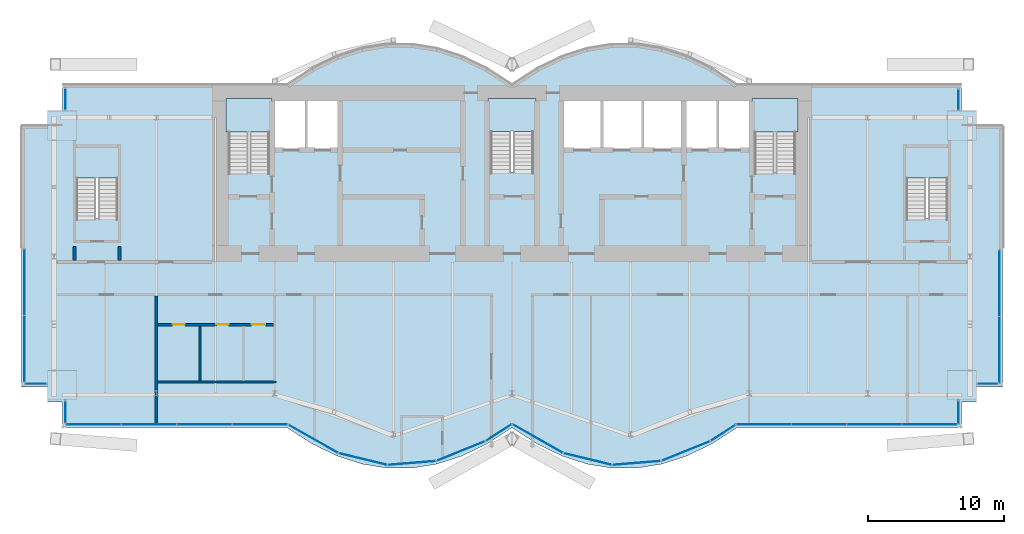
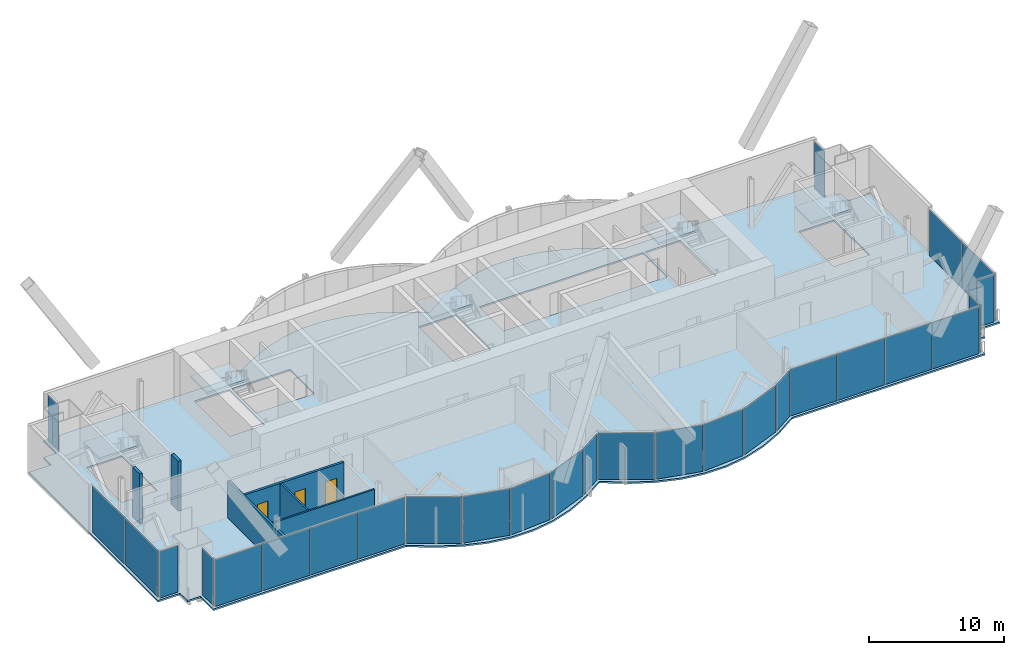
# One storey, part 10 of 17: 28 plates, 6 slabs, 6 walls, 3 doors, 3 openings, 17 elements without a shape of their own.
"""IFC4 building model written with IfcOpenShell, lengths in metres."""

from ifc_helpers import new_model, si_unit, direction, frame, frame_2d, origin, origin_2d, place, context, subcontext, project, spatial, polyline, rectangle, outline, extrude, material, layer, layer_set, type_object, element, fill, aggregate, save


model = new_model("IFC4")

# Units and contexts
model_context = context("Model", 3, precision=1e-05, world=origin(), true_north=direction((0.0, 1.0)))
body_context = subcontext(model_context, "Body", "Model", "MODEL_VIEW")
ifc_project = project(units=[si_unit("LENGTHUNIT", "METRE"), si_unit("AREAUNIT", "SQUARE_METRE"), si_unit("VOLUMEUNIT", "CUBIC_METRE"), si_unit("PLANEANGLEUNIT", "RADIAN"), si_unit("MASSUNIT", "GRAM", prefix="KILO")], contexts=[model_context])

# Site, building, storey
site_placement = place(None, origin())
site = spatial("IfcSite", under=ifc_project, at=site_placement, CompositionType="ELEMENT")
building_placement = place(site_placement, origin())
building = spatial("IfcBuilding", under=site, at=building_placement, Name="Bicima Exchange Tower", CompositionType="ELEMENT")
storey_placement = place(building_placement, frame((0.0, 0.0, 333.5)))
storey = spatial("IfcBuildingStorey", under=building, at=storey_placement, Name="L75", CompositionType="ELEMENT", Elevation=333.5)

# Slab
ifc_material_1 = material(Name="Concrete C40/50", Category="concrete")
ifc_layer_1 = layer(ifc_material_1, 0.14990234375)
ifc_layer_set_1 = layer_set([ifc_layer_1], Name="Concrete C40/50")
slab_type_1 = type_object("IfcSlabType", Name="Composite floor slab 150", PredefinedType="FLOOR", material=ifc_layer_set_1)
slab_1_placement = place(storey_placement, frame((0.0, 0.0, -0.14990234375)))
element("IfcSlab", 1, at=slab_1_placement, inside=storey, type_object=slab_type_1, Name="Floor slab", PredefinedType="FLOOR", context=body_context, shape_type="SweptSolid", body=[
    extrude(outline(polyline([(-36.0, -22.1640625), (-36.0, -3.0), (-34.10009765625, -3.0), (-34.10009765625, -1.89990234375), (-33.0, -1.89990234375), (-33.0, 0.0), (-16.5, 0.0), (-14.666748046875, 1.185302734375), (-12.833251953125, 2.07421875), (-11.0, 2.666748046875), (-9.166748046875, 2.962890625), (-7.333251953125, 2.962890625), (-5.5, 2.666748046875), (-3.666748046875, 2.07421875), (-1.833251953125, 1.185302734375), (0.0, 0.0), (1.833251953125, 1.185302734375), (3.666748046875, 2.07421875), (5.5, 2.666748046875), (7.333251953125, 2.962890625), (9.166748046875, 2.962890625), (11.0, 2.666748046875), (12.833251953125, 2.07421875), (14.666748046875, 1.185302734375), (16.5, 0.0), (33.0, 0.0), (33.0, -1.89990234375), (34.10009765625, -1.89990234375), (34.10009765625, -3.0), (36.0, -3.0), (36.0, -22.1640625), (34.10009765625, -22.1640625), (34.10009765625, -23.263916015625), (33.0, -23.263916015625), (33.0, -25.1640625), (16.5, -25.1640625), (14.666748046875, -26.34912109375), (12.833251953125, -27.238037109375), (11.0, -27.830810546875), (9.166748046875, -28.126953125), (7.333251953125, -28.126953125), (5.5, -27.830810546875), (3.666748046875, -27.238037109375), (1.833251953125, -26.34912109375), (0.0, -25.1640625), (-1.833251953125, -26.34912109375), (-3.666748046875, -27.238037109375), (-5.5, -27.830810546875), (-7.333251953125, -28.126953125), (-9.166748046875, -28.126953125), (-11.0, -27.830810546875), (-12.833251953125, -27.238037109375), (-14.666748046875, -26.34912109375), (-16.5, -25.1640625), (-33.0, -25.1640625), (-33.0, -23.263916015625), (-34.10009765625, -23.263916015625), (-34.10009765625, -22.1640625), (-36.0, -22.1640625)]), holes=[polyline([(-28.925048828125, -9.824951171875), (-28.925048828125, -4.625), (-31.97509765625, -4.625), (-31.97509765625, -9.824951171875), (-28.925048828125, -9.824951171875)]), polyline([(-20.800048828125, -6.449951171875), (-17.800048828125, -6.449951171875), (-17.800048828125, -1.199951171875), (-20.800048828125, -1.199951171875), (-20.800048828125, -6.449951171875)]), polyline([(-1.574951171875, -6.39990234375), (1.574951171875, -6.39990234375), (1.574951171875, -1.199951171875), (-1.574951171875, -1.199951171875), (-1.574951171875, -6.39990234375)]), polyline([(-12.60009765625, -1.199951171875), (-15.10009765625, -1.199951171875), (-17.60009765625, -1.199951171875), (-17.60009765625, -4.800048828125), (-15.10009765625, -4.800048828125), (-12.60009765625, -4.800048828125), (-12.60009765625, -1.199951171875)]), polyline([(3.60009765625, -4.800048828125), (6.60009765625, -4.800048828125), (9.60009765625, -4.800048828125), (12.60009765625, -4.800048828125), (15.10009765625, -4.800048828125), (17.60009765625, -4.800048828125), (17.60009765625, -1.199951171875), (15.10009765625, -1.199951171875), (12.60009765625, -1.199951171875), (9.60009765625, -1.199951171875), (6.60009765625, -1.199951171875), (3.60009765625, -1.199951171875), (3.60009765625, -4.800048828125)]), polyline([(31.97509765625, -9.824951171875), (31.97509765625, -4.625), (28.925048828125, -4.625), (28.925048828125, -9.824951171875), (31.97509765625, -9.824951171875)]), polyline([(17.800048828125, -6.449951171875), (20.800048828125, -6.449951171875), (20.800048828125, -1.199951171875), (17.800048828125, -1.199951171875), (17.800048828125, -6.449951171875)])]), origin(), (0.0, 0.0, 1.0), 0.14990234375),
])

# Curtain wall, plate
ifc_material_2 = material(Name="Anodised bronze aluminium", Category="aluminium")
curtain_wall_type_1 = type_object("IfcCurtainWallType", Name="End face glass wall", PredefinedType="NOTDEFINED", material=ifc_material_2)
curtain_wall_1_placement = place(storey_placement, origin())
curtain_wall_1 = element("IfcCurtainWall", 2, at=curtain_wall_1_placement, inside=storey, type_object=curtain_wall_type_1, Name="End face glass wall L75 run 2", PredefinedType="NOTDEFINED")
ifc_material_3 = material(Name="Bronze tinted glass", Category="glass")
ifc_layer_2 = layer(ifc_material_3, 0.031982421875)
ifc_layer_set_2 = layer_set([ifc_layer_2], Name="Bronze tinted glass")
plate_type_1 = type_object("IfcPlateType", Name="End face glass wall glass panel 32", PredefinedType="CURTAIN_PANEL", material=ifc_layer_set_2)
plate_1_placement = place(storey_placement, frame((-35.77001953125, -14.478515625, 0.0), z_axis=(0.0, 0.0, 1.0), x_axis=(0.0, -1.0, 0.0)))
plate_1 = element("IfcPlate", 3, at=plate_1_placement, type_object=plate_type_1, Name="End face glass wall panel 1.1", PredefinedType="CURTAIN_PANEL", context=body_context, shape_type="SweptSolid", body=[
    extrude(rectangle(XDim=4.8369140625, YDim=0.031982421875, at=origin_2d()), origin(), (0.0, 0.0, 1.0), 4.2099609375),
])

curtain_wall_2_placement = place(storey_placement, origin())
curtain_wall_2 = element("IfcCurtainWall", 4, at=curtain_wall_2_placement, inside=storey, type_object=curtain_wall_type_1, Name="End face glass wall L75 run 19", PredefinedType="NOTDEFINED")
plate_2_placement = place(storey_placement, frame((35.77001953125, -14.55859375, 0.0), z_axis=(0.0, 0.0, 1.0), x_axis=(0.0, 1.0, 0.0)))
plate_2 = element("IfcPlate", 5, at=plate_2_placement, type_object=plate_type_1, Name="End face glass wall panel 2.1", PredefinedType="CURTAIN_PANEL", context=body_context, shape_type="SweptSolid", body=[
    extrude(rectangle(XDim=4.8369140625, YDim=0.031982421875, at=origin_2d()), origin(), (0.0, 0.0, 1.0), 4.2099609375),
])

# Plate
ifc_material_4 = material(Name="Bronze anodised aluminium", Category="aluminium")
ifc_layer_3 = layer(ifc_material_4, 0.031982421875)
ifc_layer_set_3 = layer_set([ifc_layer_3], Name="Bronze anodised aluminium")
plate_type_2 = type_object("IfcPlateType", Name="End face glass wall spandrel panel 32", PredefinedType="CURTAIN_PANEL", material=ifc_layer_set_3)
plate_3_placement = place(storey_placement, frame((-35.77001953125, -19.37548828125, 0.0), z_axis=(0.0, 0.0, 1.0), x_axis=(0.0, -1.0, 0.0)))
plate_3 = element("IfcPlate", 6, at=plate_3_placement, type_object=plate_type_2, Name="End face spandrel wall panel 2.1", PredefinedType="CURTAIN_PANEL", context=body_context, shape_type="SweptSolid", body=[
    extrude(rectangle(XDim=4.8369140625, YDim=0.031982421875, at=origin_2d()), origin(), (0.0, 0.0, 1.0), 4.2099609375),
])

aggregate(curtain_wall_1, [plate_1, plate_3])

plate_4_placement = place(storey_placement, frame((35.77001953125, -19.45556640625, 0.0), z_axis=(0.0, 0.0, 1.0), x_axis=(0.0, 1.0, 0.0)))
plate_4 = element("IfcPlate", 7, at=plate_4_placement, type_object=plate_type_2, Name="End face spandrel wall panel 1.1", PredefinedType="CURTAIN_PANEL", context=body_context, shape_type="SweptSolid", body=[
    extrude(rectangle(XDim=4.8369140625, YDim=0.031982421875, at=origin_2d()), origin(), (0.0, 0.0, 1.0), 4.2099609375),
])

aggregate(curtain_wall_2, [plate_4, plate_2])

# Curtain wall, plate
curtain_wall_type_2 = type_object("IfcCurtainWallType", Name="Front glass wall", PredefinedType="NOTDEFINED", material=ifc_material_2)
curtain_wall_3_placement = place(storey_placement, origin())
curtain_wall_3 = element("IfcCurtainWall", 8, at=curtain_wall_3_placement, inside=storey, type_object=curtain_wall_type_2, Name="Front glass wall L75 run 1", PredefinedType="NOTDEFINED")
ifc_layer_4 = layer(ifc_material_3, 0.031982421875)
ifc_layer_set_4 = layer_set([ifc_layer_4], Name="Bronze tinted glass")
plate_type_3 = type_object("IfcPlateType", Name="Front glass wall glass panel 32", PredefinedType="CURTAIN_PANEL", material=ifc_layer_set_4)
plate_5_placement = place(storey_placement, frame((-32.77001953125, -1.06494140625, 0.0), z_axis=(0.0, 0.0, 1.0), x_axis=(0.0, -1.0, 0.0)))
plate_5 = element("IfcPlate", 9, at=plate_5_placement, type_object=plate_type_3, Name="Front glass wall panel 1.1", PredefinedType="CURTAIN_PANEL", context=body_context, shape_type="SweptSolid", body=[
    extrude(rectangle(XDim=1.550048828125, YDim=0.031982421875, at=origin_2d()), origin(), (0.0, 0.0, 1.0), 4.2099609375),
])
aggregate(curtain_wall_3, [plate_5])

curtain_wall_4_placement = place(storey_placement, origin())
curtain_wall_4 = element("IfcCurtainWall", 10, at=curtain_wall_4_placement, inside=storey, type_object=curtain_wall_type_2, Name="Front glass wall L75 run 3", PredefinedType="NOTDEFINED")
plate_6_placement = place(storey_placement, frame((-34.93505859375, -21.93408203125, 0.0), z_axis=(0.0, 0.0, 1.0), x_axis=(1.0, 0.0, 0.0)))
plate_6 = element("IfcPlate", 11, at=plate_6_placement, type_object=plate_type_3, Name="Front glass wall panel 1.1", PredefinedType="CURTAIN_PANEL", context=body_context, shape_type="SweptSolid", body=[
    extrude(rectangle(XDim=1.550048828125, YDim=0.031982421875, at=origin_2d()), origin(), (0.0, 0.0, 1.0), 4.2099609375),
])
aggregate(curtain_wall_4, [plate_6])

curtain_wall_5_placement = place(storey_placement, origin())
curtain_wall_5 = element("IfcCurtainWall", 12, at=curtain_wall_5_placement, inside=storey, type_object=curtain_wall_type_2, Name="Front glass wall L75 run 4", PredefinedType="NOTDEFINED")
plate_7_placement = place(storey_placement, frame((-32.77001953125, -23.998046875, 0.0), z_axis=(0.0, 0.0, 1.0), x_axis=(0.0, -1.0, 0.0)))
plate_7 = element("IfcPlate", 13, at=plate_7_placement, type_object=plate_type_3, Name="Front glass wall panel 1.1", PredefinedType="CURTAIN_PANEL", context=body_context, shape_type="SweptSolid", body=[
    extrude(rectangle(XDim=1.592041015625, YDim=0.031982421875, at=origin_2d()), origin(), (0.0, 0.0, 1.0), 4.2099609375),
])
aggregate(curtain_wall_5, [plate_7])

# Curtain wall, plates
curtain_wall_6_placement = place(storey_placement, origin())
curtain_wall_6 = element("IfcCurtainWall", 14, at=curtain_wall_6_placement, inside=storey, type_object=curtain_wall_type_2, Name="Front glass wall L75 run 5", PredefinedType="NOTDEFINED")
plate_8_placement = place(storey_placement, frame((-30.705322265625, -24.93408203125, 0.0), z_axis=(0.0, 0.0, 1.0), x_axis=(1.0, 0.0, 0.0)))
plate_8 = element("IfcPlate", 15, at=plate_8_placement, type_object=plate_type_3, Name="Front glass wall panel 1.1", PredefinedType="CURTAIN_PANEL", context=body_context, shape_type="SweptSolid", body=[
    extrude(rectangle(XDim=4.009521484375, YDim=0.031982421875, at=origin_2d()), origin(), (0.0, 0.0, 1.0), 4.2099609375),
])
plate_9_placement = place(storey_placement, frame((-22.56640625, -24.93408203125, 0.0), z_axis=(0.0, 0.0, 1.0), x_axis=(1.0, 0.0, 0.0)))
plate_9 = element("IfcPlate", 16, at=plate_9_placement, type_object=plate_type_3, Name="Front glass wall panel 3.1", PredefinedType="CURTAIN_PANEL", context=body_context, shape_type="SweptSolid", body=[
    extrude(rectangle(XDim=4.009521484375, YDim=0.031982421875, at=origin_2d()), origin(), (0.0, 0.0, 1.0), 4.2099609375),
])
plate_10_placement = place(storey_placement, frame((-18.496826171875, -24.93408203125, 0.0), z_axis=(0.0, 0.0, 1.0), x_axis=(1.0, 0.0, 0.0)))
plate_10 = element("IfcPlate", 17, at=plate_10_placement, type_object=plate_type_3, Name="Front glass wall panel 4.1", PredefinedType="CURTAIN_PANEL", context=body_context, shape_type="SweptSolid", body=[
    extrude(rectangle(XDim=4.009521484375, YDim=0.031982421875, at=origin_2d()), origin(), (0.0, 0.0, 1.0), 4.2099609375),
])

curtain_wall_7_placement = place(storey_placement, origin())
curtain_wall_7 = element("IfcCurtainWall", 18, at=curtain_wall_7_placement, inside=storey, type_object=curtain_wall_type_2, Name="Front glass wall L75 run 6", PredefinedType="NOTDEFINED")
plate_11_placement = place(storey_placement, frame((-14.589599609375, -25.97900390625, 0.0), z_axis=(0.0, 0.0, 1.0), x_axis=(0.869805110681, -0.493395449343, 0.0)))
plate_11 = element("IfcPlate", 19, at=plate_11_placement, type_object=plate_type_3, Name="Front glass wall panel 1.1", PredefinedType="CURTAIN_PANEL", context=body_context, shape_type="SweptSolid", body=[
    extrude(rectangle(XDim=4.1162109375, YDim=0.031982421875, at=origin_2d()), origin(), (0.0, 0.0, 1.0), 4.2099609375),
])
plate_12_placement = place(storey_placement, frame((-10.94775390625, -27.460693359375, 0.0), z_axis=(0.0, 0.0, 1.0), x_axis=(0.971830343553, -0.235681529503, 0.0)))
plate_12 = element("IfcPlate", 20, at=plate_12_placement, type_object=plate_type_3, Name="Front glass wall panel 1.1", PredefinedType="CURTAIN_PANEL", context=body_context, shape_type="SweptSolid", body=[
    extrude(rectangle(XDim=3.583251953125, YDim=0.031982421875, at=origin_2d()), origin(), (0.0, 0.0, 1.0), 4.2099609375),
])
plate_13_placement = place(storey_placement, frame((-3.750244140625, -26.87744140625, 0.0), z_axis=(0.0, 0.0, 1.0), x_axis=(0.92714396679, 0.374705304, 0.0)))
plate_13 = element("IfcPlate", 21, at=plate_13_placement, type_object=plate_type_3, Name="Front glass wall panel 1.1", PredefinedType="CURTAIN_PANEL", context=body_context, shape_type="SweptSolid", body=[
    extrude(rectangle(XDim=3.771240234375, YDim=0.031982421875, at=origin_2d()), origin(), (0.0, 0.0, 1.0), 4.2099609375),
])
plate_14_placement = place(storey_placement, frame((-0.97314453125, -25.519287109375, 0.0), z_axis=(0.0, 0.0, 1.0), x_axis=(0.839798994301, 0.542897457326, 0.0)))
plate_14 = element("IfcPlate", 22, at=plate_14_placement, type_object=plate_type_3, Name="Front glass wall panel 1.1", PredefinedType="CURTAIN_PANEL", context=body_context, shape_type="SweptSolid", body=[
    extrude(rectangle(XDim=2.197509765625, YDim=0.031982421875, at=origin_2d()), origin(), (0.0, 0.0, 1.0), 4.2099609375),
])

curtain_wall_8_placement = place(storey_placement, origin())
curtain_wall_8 = element("IfcCurtainWall", 23, at=curtain_wall_8_placement, inside=storey, type_object=curtain_wall_type_2, Name="Front glass wall L75 run 11", PredefinedType="NOTDEFINED")
plate_15_placement = place(storey_placement, frame((1.876220703125, -25.957275390625, 0.0), z_axis=(0.0, 0.0, 1.0), x_axis=(0.869274147378, -0.494330311331, 0.0)))
plate_15 = element("IfcPlate", 24, at=plate_15_placement, type_object=plate_type_3, Name="Front glass wall panel 1.1", PredefinedType="CURTAIN_PANEL", context=body_context, shape_type="SweptSolid", body=[
    extrude(rectangle(XDim=4.197021484375, YDim=0.031982421875, at=origin_2d()), origin(), (0.0, 0.0, 1.0), 4.2099609375),
])
plate_16_placement = place(storey_placement, frame((12.749755859375, -26.87744140625, 0.0), z_axis=(0.0, 0.0, 1.0), x_axis=(0.92714396679, 0.374705304, 0.0)))
plate_16 = element("IfcPlate", 25, at=plate_16_placement, type_object=plate_type_3, Name="Front glass wall panel 1.1", PredefinedType="CURTAIN_PANEL", context=body_context, shape_type="SweptSolid", body=[
    extrude(rectangle(XDim=3.771240234375, YDim=0.031982421875, at=origin_2d()), origin(), (0.0, 0.0, 1.0), 4.2099609375),
])
plate_17_placement = place(storey_placement, frame((15.492919921875, -25.541259765625, 0.0), z_axis=(0.0, 0.0, 1.0), x_axis=(0.839791413941, 0.542909183079, 0.0)))
plate_17 = element("IfcPlate", 26, at=plate_17_placement, type_object=plate_type_3, Name="Front glass wall panel 1.1", PredefinedType="CURTAIN_PANEL", context=body_context, shape_type="SweptSolid", body=[
    extrude(rectangle(XDim=2.11669921875, YDim=0.031982421875, at=origin_2d()), origin(), (0.0, 0.0, 1.0), 4.2099609375),
])

curtain_wall_9_placement = place(storey_placement, origin())
curtain_wall_9 = element("IfcCurtainWall", 27, at=curtain_wall_9_placement, inside=storey, type_object=curtain_wall_type_2, Name="Front glass wall L75 run 16", PredefinedType="NOTDEFINED")
plate_18_placement = place(storey_placement, frame((18.48681640625, -24.93408203125, 0.0), z_axis=(0.0, 0.0, 1.0), x_axis=(1.0, 0.0, 0.0)))
plate_18 = element("IfcPlate", 28, at=plate_18_placement, type_object=plate_type_3, Name="Front glass wall panel 1.1", PredefinedType="CURTAIN_PANEL", context=body_context, shape_type="SweptSolid", body=[
    extrude(rectangle(XDim=3.989501953125, YDim=0.031982421875, at=origin_2d()), origin(), (0.0, 0.0, 1.0), 4.2099609375),
])
plate_19_placement = place(storey_placement, frame((22.536376953125, -24.93408203125, 0.0), z_axis=(0.0, 0.0, 1.0), x_axis=(1.0, 0.0, 0.0)))
plate_19 = element("IfcPlate", 29, at=plate_19_placement, type_object=plate_type_3, Name="Front glass wall panel 2.1", PredefinedType="CURTAIN_PANEL", context=body_context, shape_type="SweptSolid", body=[
    extrude(rectangle(XDim=3.989501953125, YDim=0.031982421875, at=origin_2d()), origin(), (0.0, 0.0, 1.0), 4.2099609375),
])
plate_20_placement = place(storey_placement, frame((30.63525390625, -24.93408203125, 0.0), z_axis=(0.0, 0.0, 1.0), x_axis=(1.0, 0.0, 0.0)))
plate_20 = element("IfcPlate", 30, at=plate_20_placement, type_object=plate_type_3, Name="Front glass wall panel 4.1", PredefinedType="CURTAIN_PANEL", context=body_context, shape_type="SweptSolid", body=[
    extrude(rectangle(XDim=3.989501953125, YDim=0.031982421875, at=origin_2d()), origin(), (0.0, 0.0, 1.0), 4.2099609375),
])

# Curtain wall, plate
curtain_wall_10_placement = place(storey_placement, origin())
curtain_wall_10 = element("IfcCurtainWall", 31, at=curtain_wall_10_placement, inside=storey, type_object=curtain_wall_type_2, Name="Front glass wall L75 run 17", PredefinedType="NOTDEFINED")
plate_21_placement = place(storey_placement, frame((32.77001953125, -24.0380859375, 0.0), z_axis=(0.0, 0.0, 1.0), x_axis=(0.0, 1.0, 0.0)))
plate_21 = element("IfcPlate", 32, at=plate_21_placement, type_object=plate_type_3, Name="Front glass wall panel 1.1", PredefinedType="CURTAIN_PANEL", context=body_context, shape_type="SweptSolid", body=[
    extrude(rectangle(XDim=1.672119140625, YDim=0.031982421875, at=origin_2d()), origin(), (0.0, 0.0, 1.0), 4.2099609375),
])
aggregate(curtain_wall_10, [plate_21])

curtain_wall_11_placement = place(storey_placement, origin())
curtain_wall_11 = element("IfcCurtainWall", 33, at=curtain_wall_11_placement, inside=storey, type_object=curtain_wall_type_2, Name="Front glass wall L75 run 18", PredefinedType="NOTDEFINED")
plate_22_placement = place(storey_placement, frame((34.89501953125, -21.93408203125, 0.0), z_axis=(0.0, 0.0, 1.0), x_axis=(1.0, 0.0, 0.0)))
plate_22 = element("IfcPlate", 34, at=plate_22_placement, type_object=plate_type_3, Name="Front glass wall panel 1.1", PredefinedType="CURTAIN_PANEL", context=body_context, shape_type="SweptSolid", body=[
    extrude(rectangle(XDim=1.469970703125, YDim=0.031982421875, at=origin_2d()), origin(), (0.0, 0.0, 1.0), 4.2099609375),
])
aggregate(curtain_wall_11, [plate_22])

curtain_wall_12_placement = place(storey_placement, origin())
curtain_wall_12 = element("IfcCurtainWall", 35, at=curtain_wall_12_placement, inside=storey, type_object=curtain_wall_type_2, Name="Front glass wall L75 run 20", PredefinedType="NOTDEFINED")
plate_23_placement = place(storey_placement, frame((32.77001953125, -1.10498046875, 0.0), z_axis=(0.0, 0.0, 1.0), x_axis=(0.0, 1.0, 0.0)))
plate_23 = element("IfcPlate", 36, at=plate_23_placement, type_object=plate_type_3, Name="Front glass wall panel 1.1", PredefinedType="CURTAIN_PANEL", context=body_context, shape_type="SweptSolid", body=[
    extrude(rectangle(XDim=1.469970703125, YDim=0.031982421875, at=origin_2d()), origin(), (0.0, 0.0, 1.0), 4.2099609375),
])
aggregate(curtain_wall_12, [plate_23])

# Plate
ifc_layer_5 = layer(ifc_material_4, 0.031982421875)
ifc_layer_set_5 = layer_set([ifc_layer_5], Name="Bronze anodised aluminium")
plate_type_4 = type_object("IfcPlateType", Name="Front glass wall spandrel panel 32", PredefinedType="CURTAIN_PANEL", material=ifc_layer_set_5)
plate_24_placement = place(storey_placement, frame((-26.6357421875, -24.93408203125, 0.0), z_axis=(0.0, 0.0, 1.0), x_axis=(1.0, 0.0, 0.0)))
plate_24 = element("IfcPlate", 37, at=plate_24_placement, type_object=plate_type_4, Name="Front spandrel wall panel 2.1", PredefinedType="CURTAIN_PANEL", context=body_context, shape_type="SweptSolid", body=[
    extrude(rectangle(XDim=4.009521484375, YDim=0.031982421875, at=origin_2d()), origin(), (0.0, 0.0, 1.0), 4.2099609375),
])

aggregate(curtain_wall_6, [plate_8, plate_24, plate_9, plate_10])

plate_25_placement = place(storey_placement, frame((-7.35107421875, -27.751708984375, 0.0), z_axis=(0.0, 0.0, 1.0), x_axis=(0.99674744821, 0.080588612633, 0.0)))
plate_25 = element("IfcPlate", 38, at=plate_25_placement, type_object=plate_type_4, Name="Front spandrel wall panel 1.1", PredefinedType="CURTAIN_PANEL", context=body_context, shape_type="SweptSolid", body=[
    extrude(rectangle(XDim=3.486083984375, YDim=0.031982421875, at=origin_2d()), origin(), (0.0, 0.0, 1.0), 4.2099609375),
])

aggregate(curtain_wall_7, [plate_11, plate_12, plate_25, plate_13, plate_14])

plate_26_placement = place(storey_placement, frame((5.55224609375, -27.460693359375, 0.0), z_axis=(0.0, 0.0, 1.0), x_axis=(0.971830343553, -0.235681529503, 0.0)))
plate_26 = element("IfcPlate", 39, at=plate_26_placement, type_object=plate_type_4, Name="Front spandrel wall panel 1.1", PredefinedType="CURTAIN_PANEL", context=body_context, shape_type="SweptSolid", body=[
    extrude(rectangle(XDim=3.583251953125, YDim=0.031982421875, at=origin_2d()), origin(), (0.0, 0.0, 1.0), 4.2099609375),
])

plate_27_placement = place(storey_placement, frame((9.14892578125, -27.751708984375, 0.0), z_axis=(0.0, 0.0, 1.0), x_axis=(0.99674744821, 0.080588612633, 0.0)))
plate_27 = element("IfcPlate", 40, at=plate_27_placement, type_object=plate_type_4, Name="Front spandrel wall panel 1.1", PredefinedType="CURTAIN_PANEL", context=body_context, shape_type="SweptSolid", body=[
    extrude(rectangle(XDim=3.486083984375, YDim=0.031982421875, at=origin_2d()), origin(), (0.0, 0.0, 1.0), 4.2099609375),
])

aggregate(curtain_wall_8, [plate_15, plate_26, plate_27, plate_16, plate_17])

plate_28_placement = place(storey_placement, frame((26.585693359375, -24.93408203125, 0.0), z_axis=(0.0, 0.0, 1.0), x_axis=(1.0, 0.0, 0.0)))
plate_28 = element("IfcPlate", 41, at=plate_28_placement, type_object=plate_type_4, Name="Front spandrel wall panel 3.1", PredefinedType="CURTAIN_PANEL", context=body_context, shape_type="SweptSolid", body=[
    extrude(rectangle(XDim=3.989501953125, YDim=0.031982421875, at=origin_2d()), origin(), (0.0, 0.0, 1.0), 4.2099609375),
])

aggregate(curtain_wall_9, [plate_18, plate_19, plate_28, plate_20])

# Stair, slab
ifc_material_5 = material(Name="Concrete C50/60", Category="concrete")
stair_type_1 = type_object("IfcStairType", Name="Exit stair", PredefinedType="HALF_TURN_STAIR", material=ifc_material_5)
stair_1_placement = place(storey_placement, origin())
stair_1 = element("IfcStair", 42, at=stair_1_placement, inside=storey, type_object=stair_type_1, Name="L75 West exit stair", PredefinedType="HALF_TURN_STAIR")
ifc_layer_6 = layer(ifc_material_5, 0.199951171875)
ifc_layer_set_6 = layer_set([ifc_layer_6], Name="Concrete C50/60")
slab_type_2 = type_object("IfcSlabType", Name="Stair landing slab", PredefinedType="LANDING", material=ifc_layer_set_6)
slab_2_placement = place(storey_placement, frame((0.0, 0.0, 2.050048828125)))
slab_2 = element("IfcSlab", 43, at=slab_2_placement, type_object=slab_type_2, Name="ST-W landing 1", PredefinedType="LANDING", context=body_context, shape_type="SweptSolid", body=[
    extrude(outline(polyline([(-17.60009765625, -3.469970703125), (-17.60009765625, -1.0), (-21.0, -1.0), (-21.0, -3.469970703125), (-17.60009765625, -3.469970703125)])), origin(), (0.0, 0.0, 1.0), 0.199951171875),
])
aggregate(stair_1, [slab_2])

stair_type_2 = type_object("IfcStairType", Name="Exit stair 1500", PredefinedType="HALF_TURN_STAIR", material=ifc_material_5)
stair_2_placement = place(storey_placement, origin())
stair_2 = element("IfcStair", 44, at=stair_2_placement, inside=storey, type_object=stair_type_2, Name="L75 Central exit stair", PredefinedType="HALF_TURN_STAIR")
slab_3_placement = place(storey_placement, frame((0.0, 0.0, 2.050048828125)))
slab_3 = element("IfcSlab", 45, at=slab_3_placement, type_object=slab_type_2, Name="ST-C landing 1", PredefinedType="LANDING", context=body_context, shape_type="SweptSolid", body=[
    extrude(outline(polyline([(1.77490234375, -3.419921875), (1.77490234375, -1.0), (-1.77490234375, -1.0), (-1.77490234375, -3.419921875), (1.77490234375, -3.419921875)])), origin(), (0.0, 0.0, 1.0), 0.199951171875),
])
aggregate(stair_2, [slab_3])

stair_3_placement = place(storey_placement, origin())
stair_3 = element("IfcStair", 46, at=stair_3_placement, inside=storey, type_object=stair_type_1, Name="L75 East exit stair", PredefinedType="HALF_TURN_STAIR")
slab_4_placement = place(storey_placement, frame((0.0, 0.0, 2.050048828125)))
slab_4 = element("IfcSlab", 47, at=slab_4_placement, type_object=slab_type_2, Name="ST-E landing 1", PredefinedType="LANDING", context=body_context, shape_type="SweptSolid", body=[
    extrude(outline(polyline([(21.0, -3.469970703125), (21.0, -1.0), (17.60009765625, -1.0), (17.60009765625, -3.469970703125), (21.0, -3.469970703125)])), origin(), (0.0, 0.0, 1.0), 0.199951171875),
])
aggregate(stair_3, [slab_4])

stair_4_placement = place(storey_placement, origin())
stair_4 = element("IfcStair", 48, at=stair_4_placement, inside=storey, type_object=stair_type_1, Name="L75 West end exit stair", PredefinedType="HALF_TURN_STAIR")
slab_5_placement = place(storey_placement, frame((0.0, 0.0, 2.050048828125)))
slab_5 = element("IfcSlab", 49, at=slab_5_placement, type_object=slab_type_2, Name="ST-WW landing 1", PredefinedType="LANDING", context=body_context, shape_type="SweptSolid", body=[
    extrude(outline(polyline([(-28.72509765625, -6.844970703125), (-28.72509765625, -4.425048828125), (-32.175048828125, -4.425048828125), (-32.175048828125, -6.844970703125), (-28.72509765625, -6.844970703125)])), origin(), (0.0, 0.0, 1.0), 0.199951171875),
])
aggregate(stair_4, [slab_5])

stair_5_placement = place(storey_placement, origin())
stair_5 = element("IfcStair", 50, at=stair_5_placement, inside=storey, type_object=stair_type_1, Name="L75 East end exit stair", PredefinedType="HALF_TURN_STAIR")
slab_6_placement = place(storey_placement, frame((0.0, 0.0, 2.050048828125)))
slab_6 = element("IfcSlab", 51, at=slab_6_placement, type_object=slab_type_2, Name="ST-EE landing 1", PredefinedType="LANDING", context=body_context, shape_type="SweptSolid", body=[
    extrude(outline(polyline([(32.175048828125, -6.844970703125), (32.175048828125, -4.425048828125), (28.72509765625, -4.425048828125), (28.72509765625, -6.844970703125), (32.175048828125, -6.844970703125)])), origin(), (0.0, 0.0, 1.0), 0.199951171875),
])
aggregate(stair_5, [slab_6])

# Wall, openings, doors
ifc_material_6 = material(Name="Gypsum board partition")
ifc_layer_7 = layer(ifc_material_6, 0.199951171875)
ifc_layer_set_7 = layer_set([ifc_layer_7], Name="Gypsum board partition")
wall_type_1 = type_object("IfcWallType", Name="Fire-rated gypsum partition 200 EI60", PredefinedType="PARTITIONING", material=ifc_layer_set_7)
wall_1_placement = place(storey_placement, frame((-26.0, -17.60009765625, 0.0), z_axis=(0.0, 0.0, 1.0), x_axis=(1.0, 0.0, 0.0)))
wall_1 = element("IfcWall", 52, at=wall_1_placement, inside=storey, type_object=wall_type_1, Name="partition wall 3", PredefinedType="PARTITIONING", context=body_context, shape_type="SweptSolid", body=[
    extrude(rectangle(XDim=8.5, YDim=0.199951171875, at=frame_2d((4.25, 0.0))), origin(), (0.0, 0.0, 1.0), 3.33935546875),
])
opening_1_placement = place(wall_1_placement, frame((1.10009765625, 0.0, 0.0)))
opening_1 = element("IfcOpeningElement", 53, at=opening_1_placement, cuts=wall_1, Name="Opening L75-009", PredefinedType="OPENING", context=body_context, shape_type="SweptSolid", body=[
    extrude(rectangle(XDim=0.89990234375, YDim=2.10009765625, at=frame_2d((0.449951171875, 1.050048828125))), frame((0.0, 0.11181640625, 0.0), z_axis=(0.0, -1.0, 0.0), x_axis=(1.0, 0.0, 0.0)), (0.0, 0.0, 1.0), 0.223876953125),
])
opening_2_placement = place(wall_1_placement, frame((4.300048828125, 0.0, 0.0)))
opening_2 = element("IfcOpeningElement", 54, at=opening_2_placement, cuts=wall_1, Name="Opening L75-010", PredefinedType="OPENING", context=body_context, shape_type="SweptSolid", body=[
    extrude(rectangle(XDim=0.89990234375, YDim=2.10009765625, at=frame_2d((0.449951171875, 1.050048828125))), frame((0.0, 0.11181640625, 0.0), z_axis=(0.0, -1.0, 0.0), x_axis=(1.0, 0.0, 0.0)), (0.0, 0.0, 1.0), 0.223876953125),
])
opening_3_placement = place(wall_1_placement, frame((6.89990234375, 0.0, 0.0)))
opening_3 = element("IfcOpeningElement", 55, at=opening_3_placement, cuts=wall_1, Name="Opening L75-011", PredefinedType="OPENING", context=body_context, shape_type="SweptSolid", body=[
    extrude(rectangle(XDim=1.0, YDim=2.10009765625, at=frame_2d((0.5, 1.050048828125))), frame((0.0, 0.11181640625, 0.0), z_axis=(0.0, -1.0, 0.0), x_axis=(1.0, 0.0, 0.0)), (0.0, 0.0, 1.0), 0.223876953125),
])
ifc_material_7 = material(Name="Steel fire door leaf", Category="steel")
door_type_1 = type_object("IfcDoorType", Name="Door 1000 swing FD30S", OperationType="SINGLE_SWING_LEFT", PredefinedType="DOOR", material=ifc_material_7)
door_1_placement = place(opening_3_placement, frame((1.0, 0.0, 0.0), z_axis=(0.0, 0.0, 1.0), x_axis=(-1.0, 0.0, 0.0)))
door_1 = element("IfcDoor", 56, at=door_1_placement, inside=storey, type_object=door_type_1, Name="Door", OperationType="SINGLE_SWING_RIGHT", OverallHeight=2.10009765625, OverallWidth=1.0, PredefinedType="DOOR", context=body_context, shape_type="SweptSolid", body=[
    extrude(rectangle(XDim=1.0, YDim=2.10009765625, at=frame_2d((0.5, 1.050048828125))), frame((0.0, 0.02490234375, 0.0), z_axis=(0.0, -1.0, 0.0), x_axis=(1.0, 0.0, 0.0)), (0.0, 0.0, 1.0), 0.050048828125),
])
fill(opening_3, door_1)
door_type_2 = type_object("IfcDoorType", Name="Door 900 swing FD30S", OperationType="SINGLE_SWING_LEFT", PredefinedType="DOOR", material=ifc_material_7)
door_2_placement = place(opening_1_placement, frame((0.89990234375, 0.0, 0.0), z_axis=(0.0, 0.0, 1.0), x_axis=(-1.0, 0.0, 0.0)))
door_2 = element("IfcDoor", 57, at=door_2_placement, inside=storey, type_object=door_type_2, Name="Door", OperationType="SINGLE_SWING_RIGHT", OverallHeight=2.10009765625, OverallWidth=0.89990234375, PredefinedType="DOOR", context=body_context, shape_type="SweptSolid", body=[
    extrude(rectangle(XDim=0.89990234375, YDim=2.10009765625, at=frame_2d((0.449951171875, 1.050048828125))), frame((0.0, 0.02490234375, 0.0), z_axis=(0.0, -1.0, 0.0), x_axis=(1.0, 0.0, 0.0)), (0.0, 0.0, 1.0), 0.050048828125),
])
fill(opening_1, door_2)
door_3_placement = place(opening_2_placement, frame((0.89990234375, 0.0, 0.0), z_axis=(0.0, 0.0, 1.0), x_axis=(-1.0, 0.0, 0.0)))
door_3 = element("IfcDoor", 58, at=door_3_placement, inside=storey, type_object=door_type_2, Name="Door", OperationType="SINGLE_SWING_LEFT", OverallHeight=2.10009765625, OverallWidth=0.89990234375, PredefinedType="DOOR", context=body_context, shape_type="SweptSolid", body=[
    extrude(rectangle(XDim=0.89990234375, YDim=2.10009765625, at=frame_2d((0.449951171875, 1.050048828125))), frame((0.0, 0.02490234375, 0.0), z_axis=(0.0, -1.0, 0.0), x_axis=(1.0, 0.0, 0.0)), (0.0, 0.0, 1.0), 0.050048828125),
])
fill(opening_2, door_3)

# Walls
wall_2_placement = place(storey_placement, frame((-26.10009765625, -24.949951171875, 0.0), z_axis=(0.0, 0.0, 1.0), x_axis=(0.0, 1.0, 0.0)))
element("IfcWall", 59, at=wall_2_placement, inside=storey, type_object=wall_type_1, Name="partition wall 14", PredefinedType="PARTITIONING", context=body_context, shape_type="SweptSolid", body=[
    extrude(rectangle(XDim=9.449951171875, YDim=0.199951171875, at=frame_2d((4.72509765625, 0.0))), origin(), (0.0, 0.0, 1.0), 3.33935546875),
])
ifc_layer_8 = layer(ifc_material_6, 0.14990234375)
ifc_layer_set_8 = layer_set([ifc_layer_8], Name="Gypsum board partition")
wall_type_2 = type_object("IfcWallType", Name="Gypsum partition 150", PredefinedType="PARTITIONING", material=ifc_layer_set_8)
wall_3_placement = place(storey_placement, frame((-26.0, -21.800048828125, 0.0), z_axis=(0.0, 0.0, 1.0), x_axis=(1.0, 0.0, 0.0)))
element("IfcWall", 60, at=wall_3_placement, inside=storey, type_object=wall_type_2, Name="partition wall 2", PredefinedType="PARTITIONING", context=body_context, shape_type="SweptSolid", body=[
    extrude(rectangle(XDim=8.699951171875, YDim=0.14990234375, at=frame_2d((4.35009765625, 0.0))), origin(), (0.0, 0.0, 1.0), 3.33935546875),
])
wall_4_placement = place(storey_placement, frame((-22.89990234375, -21.72509765625, 0.0), z_axis=(0.0, 0.0, 1.0), x_axis=(0.0, 1.0, 0.0)))
element("IfcWall", 61, at=wall_4_placement, inside=storey, type_object=wall_type_2, Name="partition wall 15", PredefinedType="PARTITIONING", context=body_context, shape_type="SweptSolid", body=[
    extrude(rectangle(XDim=4.025146484375, YDim=0.14990234375, at=frame_2d((2.0126953125, 0.0))), origin(), (0.0, 0.0, 1.0), 3.33935546875),
])
ifc_layer_9 = layer(ifc_material_5, 0.25)
ifc_layer_set_9 = layer_set([ifc_layer_9], Name="Concrete C50/60")
wall_type_3 = type_object("IfcWallType", Name="RC core wall 250 C50/60", PredefinedType="SHEAR", material=ifc_layer_set_9)
for number, where, z_axis, x_axis, name in (
    (62, (-32.10009765625, -12.89990234375, 0.0), (0.0, 0.0, 1.0), (0.0, 1.0, 0.0), "stair wall 12"),
    (63, (-28.800048828125, -12.89990234375, 0.0), (0.0, 0.0, 1.0), (0.0, 1.0, 0.0), "stair wall 13"),
):
    element("IfcWall", number, at=place(storey_placement, frame(where, z_axis=z_axis, x_axis=x_axis)), inside=storey, type_object=wall_type_3, Name=name, PredefinedType="SHEAR", context=body_context, shape_type="SweptSolid", body=[
        extrude(rectangle(XDim=1.0498046875, YDim=0.25, at=frame_2d((0.52490234375, 0.0))), origin(), (0.0, 0.0, 1.0), 4.5),
    ])

save(model, "model.ifc")
